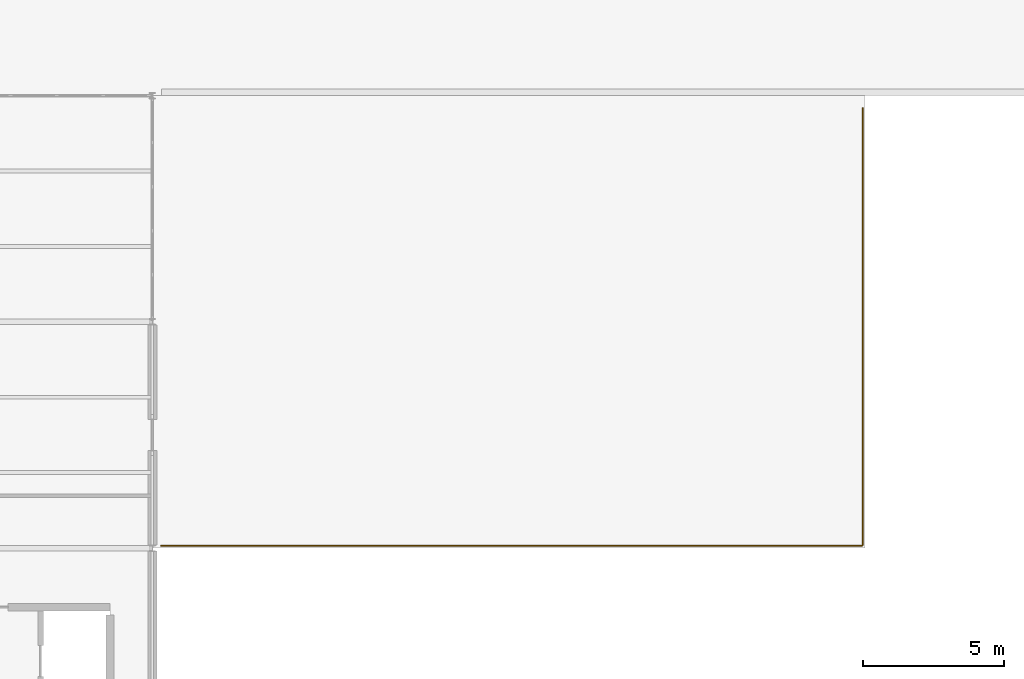
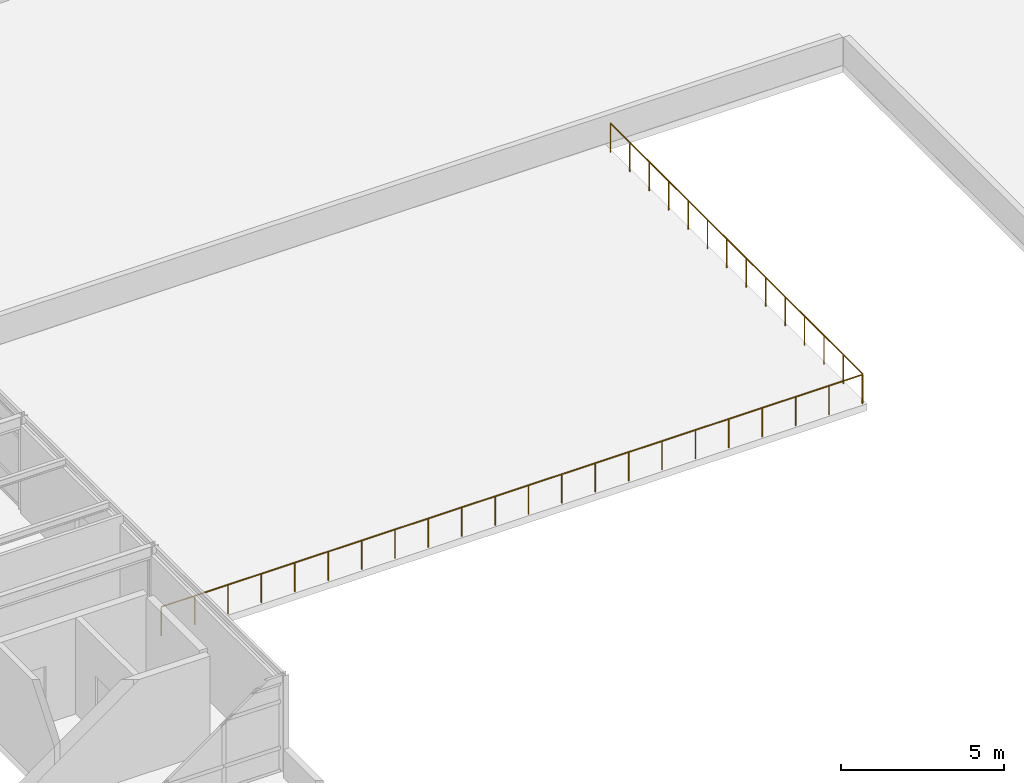
# One storey, part 32 of 32: 2 railings.
"""IFC4 building model written with IfcOpenShell, lengths in metres."""

from ifc_helpers import new_model, si_unit, direction, frame, origin, origin_2d, place, context, subcontext, project, spatial, circle, extrude, material, type_object, element, save


model = new_model("IFC4")

# Units and contexts
model_context = context("Model", 3, precision=1e-05, world=origin(), true_north=direction((0.0, 1.0)))
body_context = subcontext(model_context, "Body", "Model", "MODEL_VIEW")
ifc_project = project(units=[si_unit("LENGTHUNIT", "METRE"), si_unit("AREAUNIT", "SQUARE_METRE"), si_unit("VOLUMEUNIT", "CUBIC_METRE"), si_unit("PLANEANGLEUNIT", "RADIAN"), si_unit("MASSUNIT", "GRAM", prefix="KILO")], contexts=[model_context])

# Site, building, storey
site_placement = place(None, origin())
site = spatial("IfcSite", under=ifc_project, at=site_placement, CompositionType="ELEMENT")
building_placement = place(site_placement, origin())
building = spatial("IfcBuilding", under=site, at=building_placement, Name="Kranzveld Transit Interchange", CompositionType="ELEMENT")
storey_placement = place(building_placement, frame((0.0, 0.0, 17.199951171875)))
storey = spatial("IfcBuildingStorey", under=building, at=storey_placement, Name="L04", CompositionType="ELEMENT", Elevation=17.199951171875)

# Railings
ifc_material = material(Name="Steel S355JR", Category="steel")
railing_type = type_object("IfcRailingType", Name="Terrace Balustrade Bronze-Steel 1100", PredefinedType="BALUSTRADE", material=ifc_material)
railing_1_placement = place(storey_placement, frame((142.68994140625, 80.080078125, 0.0)))
element("IfcRailing", 1, at=railing_1_placement, inside=storey, type_object=railing_type, Name="L04 Terrace Balustrade TERR_L04_V4G-9", PredefinedType="BALUSTRADE", context=body_context, shape_type="SweptSolid", body=[
    extrude(circle(Radius=0.02392578125, at=origin_2d()), frame((0.0, 0.0, 1.076171875), z_axis=(-1.0, 0.0, 0.0), x_axis=(0.0, -1.0, 0.0)), (0.0, 0.0, 1.0), 24.780029296875),
    extrude(circle(Radius=0.02099609375, at=origin_2d()), origin(), (0.0, 0.0, 1.0), 1.050048828125),
    extrude(circle(Radius=0.02099609375, at=origin_2d()), frame((-1.179931640625, 0.0, 0.0)), (0.0, 0.0, 1.0), 1.050048828125),
    extrude(circle(Radius=0.02099609375, at=origin_2d()), frame((-2.360107421875, 0.0, 0.0)), (0.0, 0.0, 1.0), 1.050048828125),
    extrude(circle(Radius=0.02099609375, at=origin_2d()), frame((-3.5400390625, 0.0, 0.0)), (0.0, 0.0, 1.0), 1.050048828125),
    extrude(circle(Radius=0.02099609375, at=origin_2d()), frame((-4.719970703125, 0.0, 0.0)), (0.0, 0.0, 1.0), 1.050048828125),
    extrude(circle(Radius=0.02099609375, at=origin_2d()), frame((-5.89990234375, 0.0, 0.0)), (0.0, 0.0, 1.0), 1.050048828125),
    extrude(circle(Radius=0.02099609375, at=origin_2d()), frame((-7.080078125, 0.0, 0.0)), (0.0, 0.0, 1.0), 1.050048828125),
    extrude(circle(Radius=0.02099609375, at=origin_2d()), frame((-8.260009765625, 0.0, 0.0)), (0.0, 0.0, 1.0), 1.050048828125),
    extrude(circle(Radius=0.02099609375, at=origin_2d()), frame((-9.43994140625, 0.0, 0.0)), (0.0, 0.0, 1.0), 1.050048828125),
    extrude(circle(Radius=0.02099609375, at=origin_2d()), frame((-10.6201171875, 0.0, 0.0)), (0.0, 0.0, 1.0), 1.050048828125),
    extrude(circle(Radius=0.02099609375, at=origin_2d()), frame((-11.800048828125, 0.0, 0.0)), (0.0, 0.0, 1.0), 1.050048828125),
    extrude(circle(Radius=0.02099609375, at=origin_2d()), frame((-12.97998046875, 0.0, 0.0)), (0.0, 0.0, 1.0), 1.050048828125),
    extrude(circle(Radius=0.02099609375, at=origin_2d()), frame((-14.159912109375, 0.0, 0.0)), (0.0, 0.0, 1.0), 1.050048828125),
    extrude(circle(Radius=0.02099609375, at=origin_2d()), frame((-15.340087890625, 0.0, 0.0)), (0.0, 0.0, 1.0), 1.050048828125),
    extrude(circle(Radius=0.02099609375, at=origin_2d()), frame((-16.52001953125, 0.0, 0.0)), (0.0, 0.0, 1.0), 1.050048828125),
    extrude(circle(Radius=0.02099609375, at=origin_2d()), frame((-17.699951171875, 0.0, 0.0)), (0.0, 0.0, 1.0), 1.050048828125),
    extrude(circle(Radius=0.02099609375, at=origin_2d()), frame((-18.880126953125, 0.0, 0.0)), (0.0, 0.0, 1.0), 1.050048828125),
    extrude(circle(Radius=0.02099609375, at=origin_2d()), frame((-20.06005859375, 0.0, 0.0)), (0.0, 0.0, 1.0), 1.050048828125),
    extrude(circle(Radius=0.02099609375, at=origin_2d()), frame((-21.239990234375, 0.0, 0.0)), (0.0, 0.0, 1.0), 1.050048828125),
    extrude(circle(Radius=0.02099609375, at=origin_2d()), frame((-22.419921875, 0.0, 0.0)), (0.0, 0.0, 1.0), 1.050048828125),
    extrude(circle(Radius=0.02099609375, at=origin_2d()), frame((-23.60009765625, 0.0, 0.0)), (0.0, 0.0, 1.0), 1.050048828125),
    extrude(circle(Radius=0.02099609375, at=origin_2d()), frame((-24.780029296875, 0.0, 0.0)), (0.0, 0.0, 1.0), 1.050048828125),
])
railing_2_placement = place(storey_placement, frame((142.719970703125, 95.550048828125, 0.0)))
element("IfcRailing", 2, at=railing_2_placement, inside=storey, type_object=railing_type, Name="L04 Terrace Balustrade TERR_L04_V4G-10", PredefinedType="BALUSTRADE", context=body_context, shape_type="SweptSolid", body=[
    extrude(circle(Radius=0.02392578125, at=origin_2d()), frame((0.0, 0.0, 1.076171875), z_axis=(0.0, -1.0, 0.0), x_axis=(1.0, 0.0, 0.0)), (0.0, 0.0, 1.0), 15.43994140625),
    extrude(circle(Radius=0.02099609375, at=origin_2d()), origin(), (0.0, 0.0, 1.0), 1.050048828125),
    extrude(circle(Radius=0.02099609375, at=origin_2d()), frame((0.0, -1.187744140625, 0.0)), (0.0, 0.0, 1.0), 1.050048828125),
    extrude(circle(Radius=0.02099609375, at=origin_2d()), frame((0.0, -2.37548828125, 0.0)), (0.0, 0.0, 1.0), 1.050048828125),
    extrude(circle(Radius=0.02099609375, at=origin_2d()), frame((0.0, -3.56298828125, 0.0)), (0.0, 0.0, 1.0), 1.050048828125),
    extrude(circle(Radius=0.02099609375, at=origin_2d()), frame((0.0, -4.750732421875, 0.0)), (0.0, 0.0, 1.0), 1.050048828125),
    extrude(circle(Radius=0.02099609375, at=origin_2d()), frame((0.0, -5.9384765625, 0.0)), (0.0, 0.0, 1.0), 1.050048828125),
    extrude(circle(Radius=0.02099609375, at=origin_2d()), frame((0.0, -7.126220703125, 0.0)), (0.0, 0.0, 1.0), 1.050048828125),
    extrude(circle(Radius=0.02099609375, at=origin_2d()), frame((0.0, -8.313720703125, 0.0)), (0.0, 0.0, 1.0), 1.050048828125),
    extrude(circle(Radius=0.02099609375, at=origin_2d()), frame((0.0, -9.50146484375, 0.0)), (0.0, 0.0, 1.0), 1.050048828125),
    extrude(circle(Radius=0.02099609375, at=origin_2d()), frame((0.0, -10.689208984375, 0.0)), (0.0, 0.0, 1.0), 1.050048828125),
    extrude(circle(Radius=0.02099609375, at=origin_2d()), frame((0.0, -11.876953125, 0.0)), (0.0, 0.0, 1.0), 1.050048828125),
    extrude(circle(Radius=0.02099609375, at=origin_2d()), frame((0.0, -13.064453125, 0.0)), (0.0, 0.0, 1.0), 1.050048828125),
    extrude(circle(Radius=0.02099609375, at=origin_2d()), frame((0.0, -14.252197265625, 0.0)), (0.0, 0.0, 1.0), 1.050048828125),
    extrude(circle(Radius=0.02099609375, at=origin_2d()), frame((0.0, -15.43994140625, 0.0)), (0.0, 0.0, 1.0), 1.050048828125),
])

save(model, "model.ifc")
